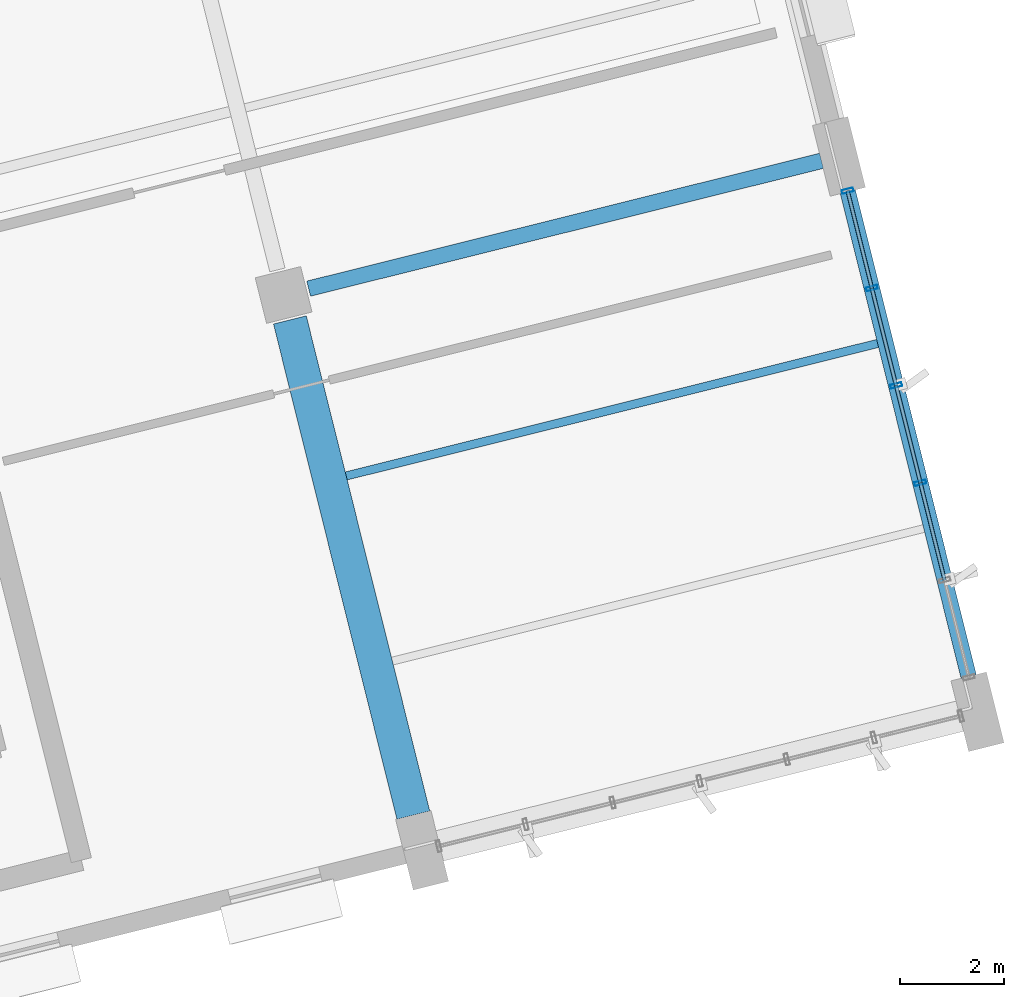
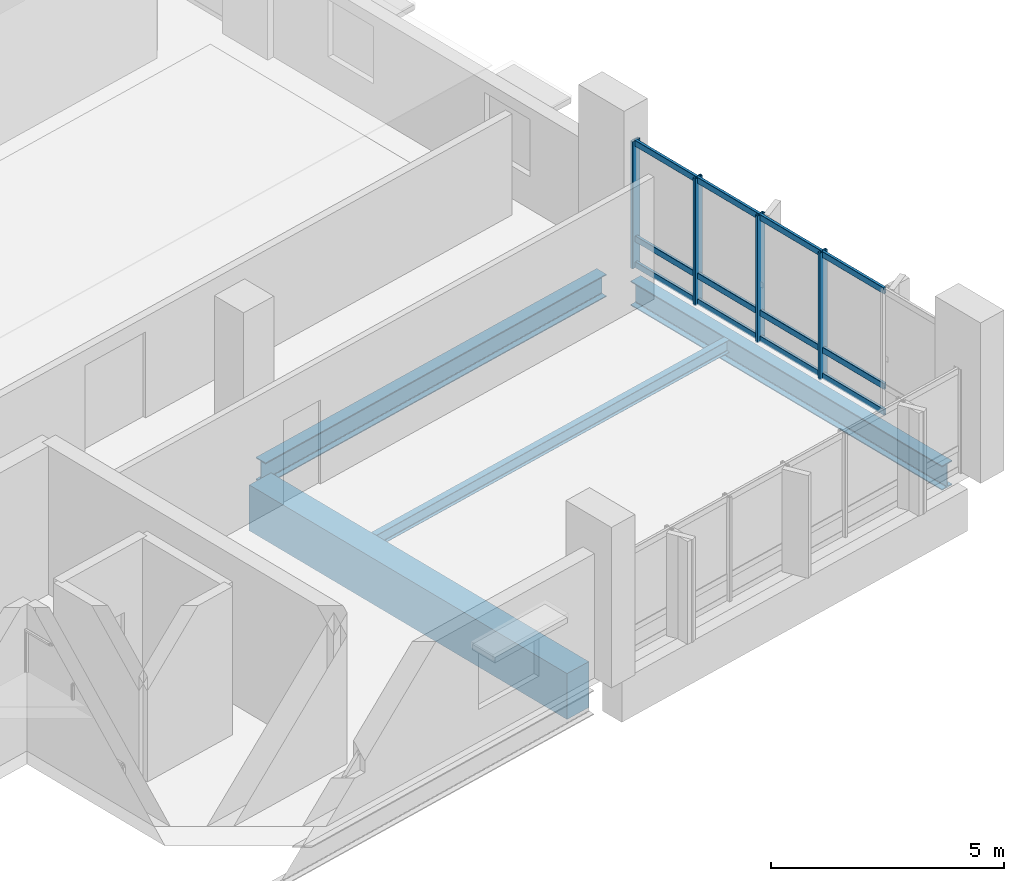
# One storey, part 12 of 42: 16 members, 4 beams, 1 element without a shape of its own.
"""IFC4 building model written with IfcOpenShell, lengths in metres."""

from ifc_helpers import new_model, si_unit, direction, frame, origin, origin_2d, place, context, subcontext, project, spatial, rectangle, hollow_rectangle, i_section, extrude, material, layer, layer_set, material_profile, profile_set, type_object, element, aggregate, save


model = new_model("IFC4")

# Units and contexts
model_context = context("Model", 3, precision=1e-05, world=origin(), true_north=direction((0.0, 1.0)))
body_context = subcontext(model_context, "Body", "Model", "MODEL_VIEW")
ifc_project = project(units=[si_unit("LENGTHUNIT", "METRE"), si_unit("AREAUNIT", "SQUARE_METRE"), si_unit("VOLUMEUNIT", "CUBIC_METRE"), si_unit("PLANEANGLEUNIT", "RADIAN"), si_unit("MASSUNIT", "GRAM", prefix="KILO")], contexts=[model_context])

# Site, building, storey
site_placement = place(None, origin())
site = spatial("IfcSite", under=ifc_project, at=site_placement, CompositionType="ELEMENT")
building_placement = place(site_placement, origin())
building = spatial("IfcBuilding", under=site, at=building_placement, Name="Khorjan Park Terminus", CompositionType="ELEMENT")
storey_placement = place(building_placement, frame((0.0, 0.0, 20.4)))
storey = spatial("IfcBuildingStorey", under=building, at=storey_placement, Name="L04", CompositionType="ELEMENT", Elevation=20.4)

# Beams
ifc_material_1 = material(Name="Steel S355", Category="steel")
ifc_material_profile_1 = material_profile(ifc_material_1, i_section(OverallWidth=0.3, OverallDepth=0.59, WebThickness=0.013, FlangeThickness=0.025, FilletRadius=0.027, at=origin_2d()), Name="HEA 600")
ifc_profile_set_1 = profile_set([ifc_material_profile_1], Name="Steel S355")
beam_type_1 = type_object("IfcBeamType", Name="BM-HEA600", PredefinedType="BEAM", material=ifc_profile_set_1)
beam_1_placement = place(storey_placement, frame((217.1854, 26.0987, -0.635), z_axis=(0.97029631121, 0.241919549545, 0.0), x_axis=(-0.241919549545, 0.97029631121, 0.0)))
element("IfcBeam", 1, at=beam_1_placement, inside=storey, type_object=beam_type_1, Name="Primary skew-grid floor girder SB-A60 (L04)", PredefinedType="BEAM", context=body_context, shape_type="SweptSolid", body=[
    extrude(i_section(OverallWidth=0.3, OverallDepth=0.59, WebThickness=0.013, FlangeThickness=0.025, FilletRadius=0.027, at=origin_2d()), origin(), (0.0, 0.0, 1.0), 10.16),
])
ifc_material_profile_2 = material_profile(ifc_material_1, i_section(OverallWidth=0.3, OverallDepth=0.64, WebThickness=0.0135, FlangeThickness=0.026, FilletRadius=0.027, at=origin_2d()), Name="HEA 650")
ifc_profile_set_2 = profile_set([ifc_material_profile_2], Name="Steel S355")
beam_type_2 = type_object("IfcBeamType", Name="BM-HEA650", PredefinedType="BEAM", material=ifc_profile_set_2)
beam_2_placement = place(storey_placement, frame((229.8714, 18.6412, -0.66), z_axis=(-0.241925915978, 0.970294723874, 0.0), x_axis=(-0.970294723874, -0.241925915978, 0.0)))
element("IfcBeam", 2, at=beam_2_placement, inside=storey, type_object=beam_type_2, Name="Primary skew-grid floor girder SB-A65 (L04)", PredefinedType="BEAM", context=body_context, shape_type="SweptSolid", body=[
    extrude(i_section(OverallWidth=0.3, OverallDepth=0.64, WebThickness=0.0135, FlangeThickness=0.026, FilletRadius=0.027, at=origin_2d()), origin(), (0.0, 0.0, 1.0), 9.61),
])
ifc_material_2 = material(Name="Concrete C40/50", Category="concrete")
ifc_material_profile_3 = material_profile(ifc_material_2, rectangle(XDim=0.65, YDim=1.2, at=origin_2d()), Name="RC 650x1200")
ifc_profile_set_3 = profile_set([ifc_material_profile_3], Name="Concrete C40/50")
beam_type_3 = type_object("IfcBeamType", Name="BM-RC650x1200", PredefinedType="BEAM", material=ifc_profile_set_3)
beam_3_placement = place(storey_placement, frame((219.1981, 15.9801, -0.94), z_axis=(-0.241916758476, 0.97029700709, 0.0), x_axis=(-0.97029700709, -0.241916758476, 0.0)))
element("IfcBeam", 3, at=beam_3_placement, inside=storey, type_object=beam_type_3, Name="Primary skew-grid floor girder GB-12 (L04)", PredefinedType="BEAM", context=body_context, shape_type="SweptSolid", body=[
    extrude(rectangle(XDim=0.65, YDim=1.2, at=origin_2d()), origin(), (0.0, 0.0, 1.0), 9.81),
])
ifc_material_profile_4 = material_profile(ifc_material_1, i_section(OverallWidth=0.16, OverallDepth=0.33, WebThickness=0.0075, FlangeThickness=0.0115, FilletRadius=0.018, at=origin_2d()), Name="IPE 330")
ifc_profile_set_4 = profile_set([ifc_material_profile_4], Name="Steel S355")
beam_type_4 = type_object("IfcBeamType", Name="JS-IPE330", PredefinedType="JOIST", material=ifc_profile_set_4)
beam_4_placement = place(storey_placement, frame((217.9075, 22.4998, -0.505), z_axis=(0.970296558074, 0.241918559415, 0.0), x_axis=(-0.241918559415, 0.970296558074, 0.0)))
element("IfcBeam", 4, at=beam_4_placement, inside=storey, type_object=beam_type_4, Name="Secondary composite floor joist SJ-33 (L04)", PredefinedType="JOIST", context=body_context, shape_type="SweptSolid", body=[
    extrude(i_section(OverallWidth=0.16, OverallDepth=0.33, WebThickness=0.0075, FlangeThickness=0.0115, FilletRadius=0.018, at=origin_2d()), origin(), (0.0, 0.0, 1.0), 10.525),
])

# Curtain wall, members
ifc_material_3 = material(Name="Anodized Bronze Aluminium", Category="aluminium")
ifc_layer = layer(ifc_material_3, 0.22)
ifc_layer_set = layer_set([ifc_layer], Name="Anodized Bronze Aluminium")
curtain_wall_type = type_object("IfcCurtainWallType", Name="CW-OPS-B", PredefinedType="NOTDEFINED", material=ifc_layer_set)
curtain_wall_placement = place(storey_placement, origin())
curtain_wall = element("IfcCurtainWall", 5, at=curtain_wall_placement, inside=storey, type_object=curtain_wall_type, Name="Unitized curtain wall CW-B (CW-V5-E-L04-B01)", PredefinedType="NOTDEFINED")
ifc_material_profile_5 = material_profile(ifc_material_3, hollow_rectangle(XDim=0.075, YDim=0.225, WallThickness=0.005, InnerFilletRadius=0.005, OuterFilletRadius=0.01, at=origin_2d()), Name="ALM 75x225x5")
ifc_profile_set_5 = profile_set([ifc_material_profile_5], Name="Anodized Bronze Aluminium")
member_type_1 = type_object("IfcMemberType", Name="ML-ALM-225", PredefinedType="MULLION", material=ifc_profile_set_5)
member_1_placement = place(storey_placement, frame((228.9422, 22.3681, -0.035), z_axis=(0.0, 0.0, 1.0), x_axis=(-0.241920488516, 0.9702960771, 0.0)))
member_1 = element("IfcMember", 6, at=member_1_placement, type_object=member_type_1, Name="Curtain-wall mullion ML-22 (CW-V5-E-L04-B01-2)", PredefinedType="MULLION", context=body_context, shape_type="SweptSolid", body=[
    extrude(hollow_rectangle(XDim=0.075, YDim=0.225, WallThickness=0.005, InnerFilletRadius=0.005, OuterFilletRadius=0.01, at=origin_2d()), origin(), (0.0, 0.0, 1.0), 3.325),
])
member_2_placement = place(storey_placement, frame((228.4757, 24.2389, -0.035), z_axis=(0.0, 0.0, 1.0), x_axis=(-0.241920488516, 0.9702960771, 0.0)))
member_2 = element("IfcMember", 7, at=member_2_placement, type_object=member_type_1, Name="Curtain-wall mullion ML-22 (CW-V5-E-L04-B01-3)", PredefinedType="MULLION", context=body_context, shape_type="SweptSolid", body=[
    extrude(hollow_rectangle(XDim=0.075, YDim=0.225, WallThickness=0.005, InnerFilletRadius=0.005, OuterFilletRadius=0.01, at=origin_2d()), origin(), (0.0, 0.0, 1.0), 3.325),
])
member_3_placement = place(storey_placement, frame((228.0093, 26.1096, -0.035), z_axis=(0.0, 0.0, 1.0), x_axis=(-0.241920488516, 0.9702960771, 0.0)))
member_3 = element("IfcMember", 8, at=member_3_placement, type_object=member_type_1, Name="Curtain-wall mullion ML-22 (CW-V5-E-L04-B01-4)", PredefinedType="MULLION", context=body_context, shape_type="SweptSolid", body=[
    extrude(hollow_rectangle(XDim=0.075, YDim=0.225, WallThickness=0.005, InnerFilletRadius=0.005, OuterFilletRadius=0.01, at=origin_2d()), origin(), (0.0, 0.0, 1.0), 3.325),
])
member_4_placement = place(storey_placement, frame((227.5429, 27.9803, -0.035), z_axis=(0.0, 0.0, 1.0), x_axis=(-0.241920488516, 0.9702960771, 0.0)))
member_4 = element("IfcMember", 9, at=member_4_placement, type_object=member_type_1, Name="Curtain-wall mullion ML-22 (CW-V5-E-L04-B01-5)", PredefinedType="MULLION", context=body_context, shape_type="SweptSolid", body=[
    extrude(hollow_rectangle(XDim=0.075, YDim=0.225, WallThickness=0.005, InnerFilletRadius=0.005, OuterFilletRadius=0.01, at=origin_2d()), origin(), (0.0, 0.0, 1.0), 3.325),
])
ifc_material_profile_6 = material_profile(ifc_material_3, hollow_rectangle(XDim=0.07, YDim=0.16, WallThickness=0.004, InnerFilletRadius=0.004, OuterFilletRadius=0.008, at=origin_2d()), Name="ALT 70x160x4")
ifc_profile_set_6 = profile_set([ifc_material_profile_6], Name="Anodized Bronze Aluminium")
member_type_2 = type_object("IfcMemberType", Name="TR-ALT-160", PredefinedType="USERDEFINED", material=ifc_profile_set_6)
member_5_placement = place(storey_placement, frame((229.4086, 20.4974, 0.04), z_axis=(-0.241913157049, 0.970297905, 0.0), x_axis=(-0.970297905, -0.241913157049, 0.0)))
member_5 = element("IfcMember", 10, at=member_5_placement, type_object=member_type_2, Name="Curtain-wall transom TR-16 (CW-V5-E-L04-B01-1-1)", ObjectType="TRANSOM", PredefinedType="USERDEFINED", context=body_context, shape_type="SweptSolid", body=[
    extrude(hollow_rectangle(XDim=0.07, YDim=0.16, WallThickness=0.004, InnerFilletRadius=0.004, OuterFilletRadius=0.008, at=origin_2d()), origin(), (0.0, 0.0, 1.0), 1.928),
])
member_6_placement = place(storey_placement, frame((229.4086, 20.4974, 0.716), z_axis=(-0.241913157049, 0.970297905, 0.0), x_axis=(-0.970297905, -0.241913157049, 0.0)))
member_6 = element("IfcMember", 11, at=member_6_placement, type_object=member_type_2, Name="Curtain-wall transom TR-16 (CW-V5-E-L04-B01-1-2)", ObjectType="TRANSOM", PredefinedType="USERDEFINED", context=body_context, shape_type="SweptSolid", body=[
    extrude(hollow_rectangle(XDim=0.07, YDim=0.16, WallThickness=0.004, InnerFilletRadius=0.004, OuterFilletRadius=0.008, at=origin_2d()), origin(), (0.0, 0.0, 1.0), 1.928),
])
member_7_placement = place(storey_placement, frame((229.4086, 20.4974, 3.215), z_axis=(-0.241913157049, 0.970297905, 0.0), x_axis=(-0.970297905, -0.241913157049, 0.0)))
member_7 = element("IfcMember", 12, at=member_7_placement, type_object=member_type_2, Name="Curtain-wall transom TR-16 (CW-V5-E-L04-B01-1-3)", ObjectType="TRANSOM", PredefinedType="USERDEFINED", context=body_context, shape_type="SweptSolid", body=[
    extrude(hollow_rectangle(XDim=0.07, YDim=0.16, WallThickness=0.004, InnerFilletRadius=0.004, OuterFilletRadius=0.008, at=origin_2d()), origin(), (0.0, 0.0, 1.0), 1.928),
])
member_8_placement = place(storey_placement, frame((228.9422, 22.3681, 0.04), z_axis=(-0.241949812413, 0.970288765406, 0.0), x_axis=(-0.970288765406, -0.241949812413, 0.0)))
member_8 = element("IfcMember", 13, at=member_8_placement, type_object=member_type_2, Name="Curtain-wall transom TR-16 (CW-V5-E-L04-B01-2-1)", ObjectType="TRANSOM", PredefinedType="USERDEFINED", context=body_context, shape_type="SweptSolid", body=[
    extrude(hollow_rectangle(XDim=0.07, YDim=0.16, WallThickness=0.004, InnerFilletRadius=0.004, OuterFilletRadius=0.008, at=origin_2d()), origin(), (0.0, 0.0, 1.0), 1.9281),
])
member_9_placement = place(storey_placement, frame((228.9422, 22.3681, 0.716), z_axis=(-0.241949812413, 0.970288765406, 0.0), x_axis=(-0.970288765406, -0.241949812413, 0.0)))
member_9 = element("IfcMember", 14, at=member_9_placement, type_object=member_type_2, Name="Curtain-wall transom TR-16 (CW-V5-E-L04-B01-2-2)", ObjectType="TRANSOM", PredefinedType="USERDEFINED", context=body_context, shape_type="SweptSolid", body=[
    extrude(hollow_rectangle(XDim=0.07, YDim=0.16, WallThickness=0.004, InnerFilletRadius=0.004, OuterFilletRadius=0.008, at=origin_2d()), origin(), (0.0, 0.0, 1.0), 1.9281),
])
member_10_placement = place(storey_placement, frame((228.9422, 22.3681, 3.215), z_axis=(-0.241949812413, 0.970288765406, 0.0), x_axis=(-0.970288765406, -0.241949812413, 0.0)))
member_10 = element("IfcMember", 15, at=member_10_placement, type_object=member_type_2, Name="Curtain-wall transom TR-16 (CW-V5-E-L04-B01-2-3)", ObjectType="TRANSOM", PredefinedType="USERDEFINED", context=body_context, shape_type="SweptSolid", body=[
    extrude(hollow_rectangle(XDim=0.07, YDim=0.16, WallThickness=0.004, InnerFilletRadius=0.004, OuterFilletRadius=0.008, at=origin_2d()), origin(), (0.0, 0.0, 1.0), 1.9281),
])
member_11_placement = place(storey_placement, frame((228.4757, 24.2389, 0.04), z_axis=(-0.241913157049, 0.970297905, 0.0), x_axis=(-0.970297905, -0.241913157049, 0.0)))
member_11 = element("IfcMember", 16, at=member_11_placement, type_object=member_type_2, Name="Curtain-wall transom TR-16 (CW-V5-E-L04-B01-3-1)", ObjectType="TRANSOM", PredefinedType="USERDEFINED", context=body_context, shape_type="SweptSolid", body=[
    extrude(hollow_rectangle(XDim=0.07, YDim=0.16, WallThickness=0.004, InnerFilletRadius=0.004, OuterFilletRadius=0.008, at=origin_2d()), origin(), (0.0, 0.0, 1.0), 1.928),
])
member_12_placement = place(storey_placement, frame((228.4757, 24.2389, 0.716), z_axis=(-0.241913157049, 0.970297905, 0.0), x_axis=(-0.970297905, -0.241913157049, 0.0)))
member_12 = element("IfcMember", 17, at=member_12_placement, type_object=member_type_2, Name="Curtain-wall transom TR-16 (CW-V5-E-L04-B01-3-2)", ObjectType="TRANSOM", PredefinedType="USERDEFINED", context=body_context, shape_type="SweptSolid", body=[
    extrude(hollow_rectangle(XDim=0.07, YDim=0.16, WallThickness=0.004, InnerFilletRadius=0.004, OuterFilletRadius=0.008, at=origin_2d()), origin(), (0.0, 0.0, 1.0), 1.928),
])
member_13_placement = place(storey_placement, frame((228.4757, 24.2389, 3.215), z_axis=(-0.241913157049, 0.970297905, 0.0), x_axis=(-0.970297905, -0.241913157049, 0.0)))
member_13 = element("IfcMember", 18, at=member_13_placement, type_object=member_type_2, Name="Curtain-wall transom TR-16 (CW-V5-E-L04-B01-3-3)", ObjectType="TRANSOM", PredefinedType="USERDEFINED", context=body_context, shape_type="SweptSolid", body=[
    extrude(hollow_rectangle(XDim=0.07, YDim=0.16, WallThickness=0.004, InnerFilletRadius=0.004, OuterFilletRadius=0.008, at=origin_2d()), origin(), (0.0, 0.0, 1.0), 1.928),
])
member_14_placement = place(storey_placement, frame((228.0093, 26.1096, 0.04), z_axis=(-0.241913157049, 0.970297905, 0.0), x_axis=(-0.970297905, -0.241913157049, 0.0)))
member_14 = element("IfcMember", 19, at=member_14_placement, type_object=member_type_2, Name="Curtain-wall transom TR-16 (CW-V5-E-L04-B01-4-1)", ObjectType="TRANSOM", PredefinedType="USERDEFINED", context=body_context, shape_type="SweptSolid", body=[
    extrude(hollow_rectangle(XDim=0.07, YDim=0.16, WallThickness=0.004, InnerFilletRadius=0.004, OuterFilletRadius=0.008, at=origin_2d()), origin(), (0.0, 0.0, 1.0), 1.928),
])
member_15_placement = place(storey_placement, frame((228.0093, 26.1096, 0.716), z_axis=(-0.241913157049, 0.970297905, 0.0), x_axis=(-0.970297905, -0.241913157049, 0.0)))
member_15 = element("IfcMember", 20, at=member_15_placement, type_object=member_type_2, Name="Curtain-wall transom TR-16 (CW-V5-E-L04-B01-4-2)", ObjectType="TRANSOM", PredefinedType="USERDEFINED", context=body_context, shape_type="SweptSolid", body=[
    extrude(hollow_rectangle(XDim=0.07, YDim=0.16, WallThickness=0.004, InnerFilletRadius=0.004, OuterFilletRadius=0.008, at=origin_2d()), origin(), (0.0, 0.0, 1.0), 1.928),
])
member_16_placement = place(storey_placement, frame((228.0093, 26.1096, 3.215), z_axis=(-0.241913157049, 0.970297905, 0.0), x_axis=(-0.970297905, -0.241913157049, 0.0)))
member_16 = element("IfcMember", 21, at=member_16_placement, type_object=member_type_2, Name="Curtain-wall transom TR-16 (CW-V5-E-L04-B01-4-3)", ObjectType="TRANSOM", PredefinedType="USERDEFINED", context=body_context, shape_type="SweptSolid", body=[
    extrude(hollow_rectangle(XDim=0.07, YDim=0.16, WallThickness=0.004, InnerFilletRadius=0.004, OuterFilletRadius=0.008, at=origin_2d()), origin(), (0.0, 0.0, 1.0), 1.928),
])
aggregate(curtain_wall, [member_1, member_2, member_3, member_4, member_5, member_6, member_7, member_8, member_9, member_10, member_11, member_12, member_13, member_14, member_15, member_16])

save(model, "model.ifc")
